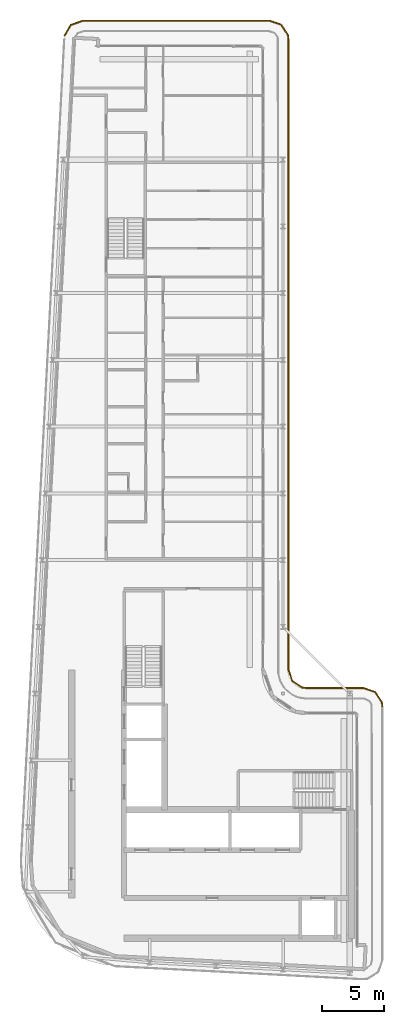
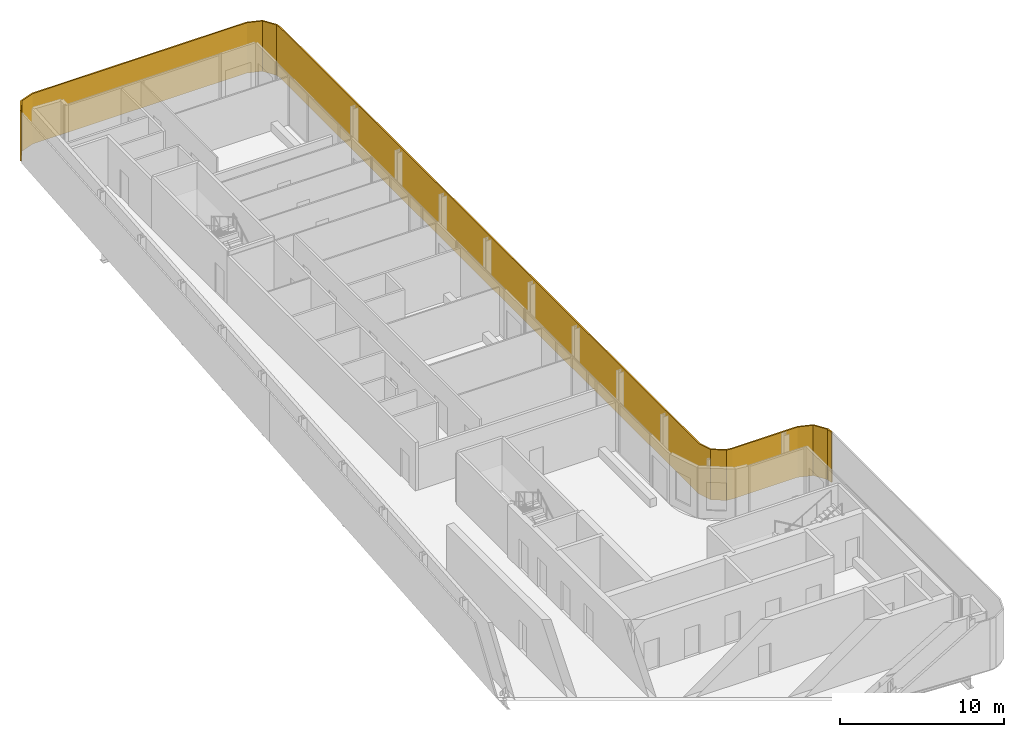
# One storey, part 17 of 18: 1 shading device.
"""IFC4 building model written with IfcOpenShell, lengths in metres."""

from ifc_helpers import new_model, si_unit, direction, frame, origin, place, context, subcontext, project, spatial, polyline, outline, extrude, material, layer, layer_set, type_object, element, save


model = new_model("IFC4")

# Units and contexts
model_context = context("Model", 3, precision=1e-05, world=origin(), true_north=direction((0.0, 1.0)))
body_context = subcontext(model_context, "Body", "Model", "MODEL_VIEW")
ifc_project = project(units=[si_unit("LENGTHUNIT", "METRE"), si_unit("AREAUNIT", "SQUARE_METRE"), si_unit("VOLUMEUNIT", "CUBIC_METRE"), si_unit("PLANEANGLEUNIT", "RADIAN"), si_unit("MASSUNIT", "GRAM", prefix="KILO")], contexts=[model_context])

# Site, building, storey
site_placement = place(None, origin())
site = spatial("IfcSite", under=ifc_project, at=site_placement, CompositionType="ELEMENT")
building_placement = place(site_placement, origin())
building = spatial("IfcBuilding", under=site, at=building_placement, Name="Kheshtan School and Residences Tower", CompositionType="ELEMENT")
storey_placement = place(building_placement, frame((0.0, 0.0, 381.199951171875)))
storey = spatial("IfcBuildingStorey", under=building, at=storey_placement, Name="L90", CompositionType="ELEMENT", Elevation=381.199951171875)

# Shading device
ifc_material = material(Name="Terracotta lattice, extruded ceramic", Category="masonry")
ifc_layer = layer(ifc_material, 0.10009765625)
ifc_layer_set = layer_set([ifc_layer], Name="Loggia screen, terracotta lattice")
shading_device_type = type_object("IfcShadingDeviceType", Name="Loggia screen, terracotta lattice", PredefinedType="USERDEFINED", material=ifc_layer_set)
shading_device_placement = place(storey_placement, origin())
element("IfcShadingDevice", 1, at=shading_device_placement, inside=storey, type_object=shading_device_type, Name="Screen L90 1", ObjectType="SCREEN", PredefinedType="USERDEFINED", context=body_context, shape_type="SweptSolid", body=[
    extrude(outline(polyline([(29.949951171875, 98.783935546875), (30.468017578125, 99.656982421875), (31.423095703125, 100.0), (46.5, 100.0), (47.4130859375, 99.68994140625), (47.948974609375, 98.887939453125), (48.0, 98.5), (48.0, 47.5), (48.31005859375, 46.5869140625), (49.112060546875, 46.051025390625), (49.5, 46.0), (54.10009765625, 46.0), (55.012939453125, 45.68994140625), (55.549072265625, 44.887939453125), (55.60009765625, 44.5), (55.698974609375, 44.512939453125), (55.64501953125, 44.924072265625), (55.076904296875, 45.77392578125), (54.116943359375, 46.10009765625), (49.507080078125, 46.10009765625), (49.14794921875, 46.14697265625), (48.39404296875, 46.65087890625), (48.10009765625, 47.51708984375), (48.10009765625, 98.507080078125), (48.044921875, 98.924072265625), (47.47705078125, 99.77392578125), (46.51708984375, 100.10009765625), (31.406005859375, 100.10009765625), (30.39990234375, 99.739013671875), (29.864013671875, 98.8349609375), (29.949951171875, 98.783935546875)])), origin(), (0.0, 0.0, 1.0), 3.75),
])

save(model, "model.ifc")
